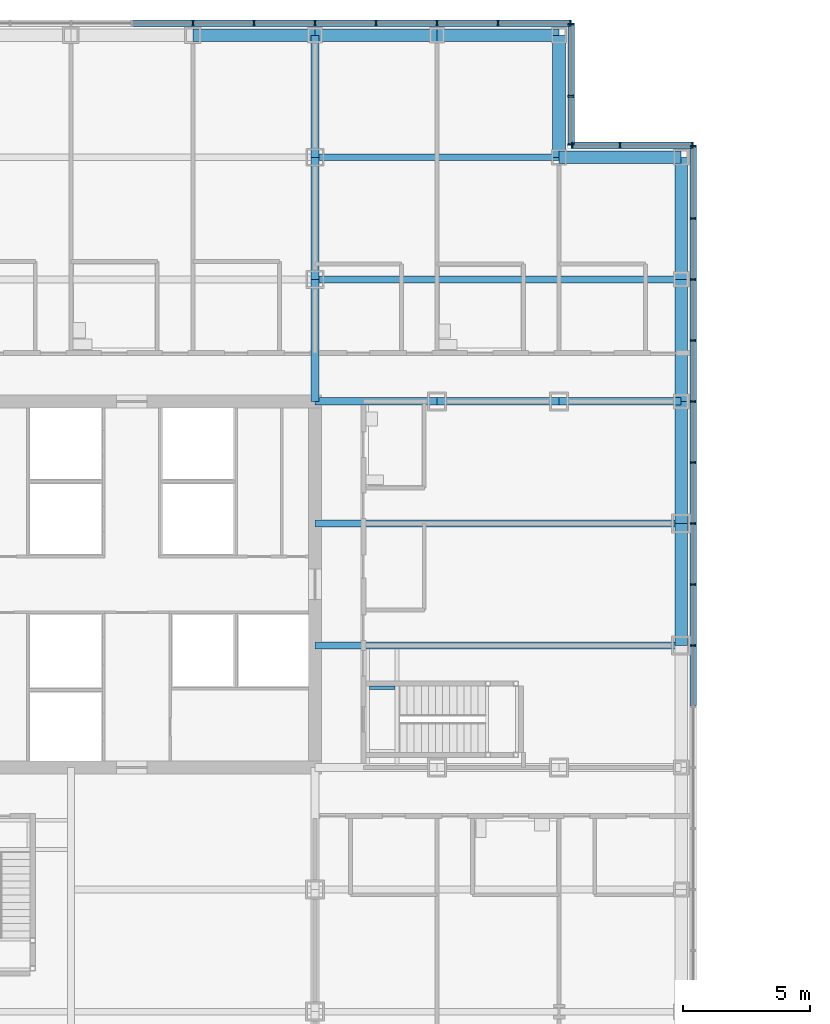
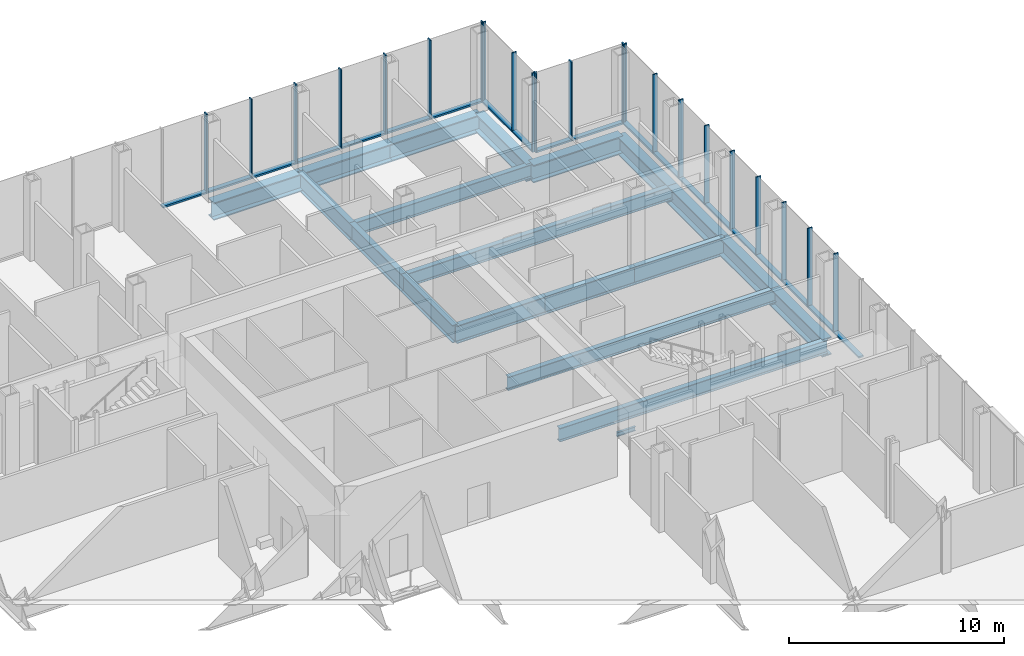
# One storey, part 17 of 26: 42 members, 20 beams, 4 elements without a shape of their own.
"""IFC4 building model written with IfcOpenShell, lengths in metres."""

from ifc_helpers import new_model, si_unit, direction, frame, origin, origin_2d, place, context, subcontext, project, spatial, rectangle, i_section, extrude, material, material_profile, profile_set, type_object, element, aggregate, save


model = new_model("IFC4")

# Units and contexts
model_context = context("Model", 3, precision=1e-05, world=origin(), true_north=direction((0.0, 1.0)))
body_context = subcontext(model_context, "Body", "Model", "MODEL_VIEW")
ifc_project = project(units=[si_unit("LENGTHUNIT", "METRE"), si_unit("AREAUNIT", "SQUARE_METRE"), si_unit("VOLUMEUNIT", "CUBIC_METRE"), si_unit("PLANEANGLEUNIT", "RADIAN"), si_unit("MASSUNIT", "GRAM", prefix="KILO")], contexts=[model_context])

# Site, building, storey
site_placement = place(None, origin())
site = spatial("IfcSite", under=ifc_project, at=site_placement, CompositionType="ELEMENT")
building_placement = place(site_placement, origin())
building = spatial("IfcBuilding", under=site, at=building_placement, Name="Kvirike Care Tower", CompositionType="ELEMENT")
storey_placement = place(building_placement, frame((0.0, 0.0, 18.0)))
storey = spatial("IfcBuildingStorey", under=building, at=storey_placement, Name="L04", CompositionType="ELEMENT", Elevation=18.0)

# Curtain wall, members
ifc_material_1 = material(Name="Anodised aluminium stick system", Category="aluminium")
curtain_wall_type = type_object("IfcCurtainWallType", Name="CW-P PODIUM STICK CURTAIN WALL", PredefinedType="NOTDEFINED", material=ifc_material_1)
curtain_wall_1_placement = place(storey_placement, origin())
curtain_wall_1 = element("IfcCurtainWall", 1, at=curtain_wall_1_placement, inside=storey, type_object=curtain_wall_type, Name="Curtain wall L04 face 8", PredefinedType="NOTDEFINED")
ifc_material_2 = material(Name="Bronze anodised aluminium mullion", Category="aluminium")
ifc_material_profile_1 = material_profile(ifc_material_2, rectangle(XDim=0.06494140625, YDim=0.25, at=origin_2d()), Name="CW-P MULLION 65x250")
ifc_profile_set_1 = profile_set([ifc_material_profile_1], Name="Bronze anodised aluminium mullion")
member_type_1 = type_object("IfcMemberType", Name="CW-P MULLION 65x250", PredefinedType="MULLION", material=ifc_profile_set_1)
member_1_placement = place(storey_placement, frame((43.675048828125, 33.60009765625, 0.0), z_axis=(0.0, 0.0, 1.0), x_axis=(0.0, 1.0, 0.0)))
member_1 = element("IfcMember", 2, at=member_1_placement, type_object=member_type_1, Name="CW-P mullion L04 face 8.9", PredefinedType="MULLION", context=body_context, shape_type="SweptSolid", body=[
    extrude(rectangle(XDim=0.06494140625, YDim=0.25, at=origin_2d()), origin(), (0.0, 0.0, 1.0), 4.5),
])
member_2_placement = place(storey_placement, frame((43.675048828125, 36.0, 0.0), z_axis=(0.0, 0.0, 1.0), x_axis=(0.0, 1.0, 0.0)))
member_2 = element("IfcMember", 3, at=member_2_placement, type_object=member_type_1, Name="CW-P mullion L04 face 8.10", PredefinedType="MULLION", context=body_context, shape_type="SweptSolid", body=[
    extrude(rectangle(XDim=0.06494140625, YDim=0.25, at=origin_2d()), origin(), (0.0, 0.0, 1.0), 4.5),
])
member_3_placement = place(storey_placement, frame((43.675048828125, 38.39990234375, 0.0), z_axis=(0.0, 0.0, 1.0), x_axis=(0.0, 1.0, 0.0)))
member_3 = element("IfcMember", 4, at=member_3_placement, type_object=member_type_1, Name="CW-P mullion L04 face 8.11", PredefinedType="MULLION", context=body_context, shape_type="SweptSolid", body=[
    extrude(rectangle(XDim=0.06494140625, YDim=0.25, at=origin_2d()), origin(), (0.0, 0.0, 1.0), 4.5),
])
member_4_placement = place(storey_placement, frame((43.675048828125, 40.800048828125, 0.0), z_axis=(0.0, 0.0, 1.0), x_axis=(0.0, 1.0, 0.0)))
member_4 = element("IfcMember", 5, at=member_4_placement, type_object=member_type_1, Name="CW-P mullion L04 face 8.12", PredefinedType="MULLION", context=body_context, shape_type="SweptSolid", body=[
    extrude(rectangle(XDim=0.06494140625, YDim=0.25, at=origin_2d()), origin(), (0.0, 0.0, 1.0), 4.5),
])
member_5_placement = place(storey_placement, frame((43.675048828125, 43.199951171875, 0.0), z_axis=(0.0, 0.0, 1.0), x_axis=(0.0, 1.0, 0.0)))
member_5 = element("IfcMember", 6, at=member_5_placement, type_object=member_type_1, Name="CW-P mullion L04 face 8.13", PredefinedType="MULLION", context=body_context, shape_type="SweptSolid", body=[
    extrude(rectangle(XDim=0.06494140625, YDim=0.25, at=origin_2d()), origin(), (0.0, 0.0, 1.0), 4.5),
])
member_6_placement = place(storey_placement, frame((43.675048828125, 45.60009765625, 0.0), z_axis=(0.0, 0.0, 1.0), x_axis=(0.0, 1.0, 0.0)))
member_6 = element("IfcMember", 7, at=member_6_placement, type_object=member_type_1, Name="CW-P mullion L04 face 8.14", PredefinedType="MULLION", context=body_context, shape_type="SweptSolid", body=[
    extrude(rectangle(XDim=0.06494140625, YDim=0.25, at=origin_2d()), origin(), (0.0, 0.0, 1.0), 4.5),
])
member_7_placement = place(storey_placement, frame((43.675048828125, 48.0, 0.0), z_axis=(0.0, 0.0, 1.0), x_axis=(0.0, 1.0, 0.0)))
member_7 = element("IfcMember", 8, at=member_7_placement, type_object=member_type_1, Name="CW-P mullion L04 face 8.15", PredefinedType="MULLION", context=body_context, shape_type="SweptSolid", body=[
    extrude(rectangle(XDim=0.06494140625, YDim=0.25, at=origin_2d()), origin(), (0.0, 0.0, 1.0), 4.5),
])
member_8_placement = place(storey_placement, frame((43.675048828125, 50.39990234375, 0.0), z_axis=(0.0, 0.0, 1.0), x_axis=(0.0, 1.0, 0.0)))
member_8 = element("IfcMember", 9, at=member_8_placement, type_object=member_type_1, Name="CW-P mullion L04 face 8.16", PredefinedType="MULLION", context=body_context, shape_type="SweptSolid", body=[
    extrude(rectangle(XDim=0.06494140625, YDim=0.25, at=origin_2d()), origin(), (0.0, 0.0, 1.0), 4.5),
])
member_9_placement = place(storey_placement, frame((43.675048828125, 53.242431640625, 0.0), z_axis=(0.0, 0.0, 1.0), x_axis=(0.0, 1.0, 0.0)))
member_9 = element("IfcMember", 10, at=member_9_placement, type_object=member_type_1, Name="CW-P mullion L04 face 8.17", PredefinedType="MULLION", context=body_context, shape_type="SweptSolid", body=[
    extrude(rectangle(XDim=0.06494140625, YDim=0.25, at=origin_2d()), origin(), (0.0, 0.0, 1.0), 4.5),
])

curtain_wall_2_placement = place(storey_placement, origin())
curtain_wall_2 = element("IfcCurtainWall", 11, at=curtain_wall_2_placement, inside=storey, type_object=curtain_wall_type, Name="Curtain wall L04 face 9", PredefinedType="NOTDEFINED")
member_10_placement = place(storey_placement, frame((43.642578125, 53.27490234375, 0.0), z_axis=(0.0, 0.0, 1.0), x_axis=(-1.0, 0.0, 0.0)))
member_10 = element("IfcMember", 12, at=member_10_placement, type_object=member_type_1, Name="CW-P mullion L04 face 9.1", PredefinedType="MULLION", context=body_context, shape_type="SweptSolid", body=[
    extrude(rectangle(XDim=0.06494140625, YDim=0.25, at=origin_2d()), origin(), (0.0, 0.0, 1.0), 4.5),
])
member_11_placement = place(storey_placement, frame((40.800048828125, 53.27490234375, 0.0), z_axis=(0.0, 0.0, 1.0), x_axis=(-1.0, 0.0, 0.0)))
member_11 = element("IfcMember", 13, at=member_11_placement, type_object=member_type_1, Name="CW-P mullion L04 face 9.2", PredefinedType="MULLION", context=body_context, shape_type="SweptSolid", body=[
    extrude(rectangle(XDim=0.06494140625, YDim=0.25, at=origin_2d()), origin(), (0.0, 0.0, 1.0), 4.5),
])
member_12_placement = place(storey_placement, frame((38.907470703125, 53.27490234375, 0.0), z_axis=(0.0, 0.0, 1.0), x_axis=(-1.0, 0.0, 0.0)))
member_12 = element("IfcMember", 14, at=member_12_placement, type_object=member_type_1, Name="CW-P mullion L04 face 9.3", PredefinedType="MULLION", context=body_context, shape_type="SweptSolid", body=[
    extrude(rectangle(XDim=0.06494140625, YDim=0.25, at=origin_2d()), origin(), (0.0, 0.0, 1.0), 4.5),
])

curtain_wall_3_placement = place(storey_placement, origin())
curtain_wall_3 = element("IfcCurtainWall", 15, at=curtain_wall_3_placement, inside=storey, type_object=curtain_wall_type, Name="Curtain wall L04 face 10", PredefinedType="NOTDEFINED")
member_13_placement = place(storey_placement, frame((38.875, 53.3076171875, 0.0), z_axis=(0.0, 0.0, 1.0), x_axis=(0.0, 1.0, 0.0)))
member_13 = element("IfcMember", 16, at=member_13_placement, type_object=member_type_1, Name="CW-P mullion L04 face 10.1", PredefinedType="MULLION", context=body_context, shape_type="SweptSolid", body=[
    extrude(rectangle(XDim=0.06494140625, YDim=0.25, at=origin_2d()), origin(), (0.0, 0.0, 1.0), 4.5),
])
member_14_placement = place(storey_placement, frame((38.875, 55.199951171875, 0.0), z_axis=(0.0, 0.0, 1.0), x_axis=(0.0, 1.0, 0.0)))
member_14 = element("IfcMember", 17, at=member_14_placement, type_object=member_type_1, Name="CW-P mullion L04 face 10.2", PredefinedType="MULLION", context=body_context, shape_type="SweptSolid", body=[
    extrude(rectangle(XDim=0.06494140625, YDim=0.25, at=origin_2d()), origin(), (0.0, 0.0, 1.0), 4.5),
])
member_15_placement = place(storey_placement, frame((38.875, 58.04248046875, 0.0), z_axis=(0.0, 0.0, 1.0), x_axis=(0.0, 1.0, 0.0)))
member_15 = element("IfcMember", 18, at=member_15_placement, type_object=member_type_1, Name="CW-P mullion L04 face 10.3", PredefinedType="MULLION", context=body_context, shape_type="SweptSolid", body=[
    extrude(rectangle(XDim=0.06494140625, YDim=0.25, at=origin_2d()), origin(), (0.0, 0.0, 1.0), 4.5),
])

curtain_wall_4_placement = place(storey_placement, origin())
curtain_wall_4 = element("IfcCurtainWall", 19, at=curtain_wall_4_placement, inside=storey, type_object=curtain_wall_type, Name="Curtain wall L04 face 11", PredefinedType="NOTDEFINED")
member_16_placement = place(storey_placement, frame((38.842529296875, 58.074951171875, 0.0), z_axis=(0.0, 0.0, 1.0), x_axis=(-1.0, 0.0, 0.0)))
member_16 = element("IfcMember", 20, at=member_16_placement, type_object=member_type_1, Name="CW-P mullion L04 face 11.1", PredefinedType="MULLION", context=body_context, shape_type="SweptSolid", body=[
    extrude(rectangle(XDim=0.06494140625, YDim=0.25, at=origin_2d()), origin(), (0.0, 0.0, 1.0), 4.5),
])
member_17_placement = place(storey_placement, frame((36.0, 58.074951171875, 0.0), z_axis=(0.0, 0.0, 1.0), x_axis=(-1.0, 0.0, 0.0)))
member_17 = element("IfcMember", 21, at=member_17_placement, type_object=member_type_1, Name="CW-P mullion L04 face 11.2", PredefinedType="MULLION", context=body_context, shape_type="SweptSolid", body=[
    extrude(rectangle(XDim=0.06494140625, YDim=0.25, at=origin_2d()), origin(), (0.0, 0.0, 1.0), 4.5),
])
member_18_placement = place(storey_placement, frame((33.60009765625, 58.074951171875, 0.0), z_axis=(0.0, 0.0, 1.0), x_axis=(-1.0, 0.0, 0.0)))
member_18 = element("IfcMember", 22, at=member_18_placement, type_object=member_type_1, Name="CW-P mullion L04 face 11.3", PredefinedType="MULLION", context=body_context, shape_type="SweptSolid", body=[
    extrude(rectangle(XDim=0.06494140625, YDim=0.25, at=origin_2d()), origin(), (0.0, 0.0, 1.0), 4.5),
])
member_19_placement = place(storey_placement, frame((31.199951171875, 58.074951171875, 0.0), z_axis=(0.0, 0.0, 1.0), x_axis=(-1.0, 0.0, 0.0)))
member_19 = element("IfcMember", 23, at=member_19_placement, type_object=member_type_1, Name="CW-P mullion L04 face 11.4", PredefinedType="MULLION", context=body_context, shape_type="SweptSolid", body=[
    extrude(rectangle(XDim=0.06494140625, YDim=0.25, at=origin_2d()), origin(), (0.0, 0.0, 1.0), 4.5),
])
member_20_placement = place(storey_placement, frame((28.800048828125, 58.074951171875, 0.0), z_axis=(0.0, 0.0, 1.0), x_axis=(-1.0, 0.0, 0.0)))
member_20 = element("IfcMember", 24, at=member_20_placement, type_object=member_type_1, Name="CW-P mullion L04 face 11.5", PredefinedType="MULLION", context=body_context, shape_type="SweptSolid", body=[
    extrude(rectangle(XDim=0.06494140625, YDim=0.25, at=origin_2d()), origin(), (0.0, 0.0, 1.0), 4.5),
])
member_21_placement = place(storey_placement, frame((26.39990234375, 58.074951171875, 0.0), z_axis=(0.0, 0.0, 1.0), x_axis=(-1.0, 0.0, 0.0)))
member_21 = element("IfcMember", 25, at=member_21_placement, type_object=member_type_1, Name="CW-P mullion L04 face 11.6", PredefinedType="MULLION", context=body_context, shape_type="SweptSolid", body=[
    extrude(rectangle(XDim=0.06494140625, YDim=0.25, at=origin_2d()), origin(), (0.0, 0.0, 1.0), 4.5),
])
member_22_placement = place(storey_placement, frame((24.0, 58.074951171875, 0.0), z_axis=(0.0, 0.0, 1.0), x_axis=(-1.0, 0.0, 0.0)))
member_22 = element("IfcMember", 26, at=member_22_placement, type_object=member_type_1, Name="CW-P mullion L04 face 11.7", PredefinedType="MULLION", context=body_context, shape_type="SweptSolid", body=[
    extrude(rectangle(XDim=0.06494140625, YDim=0.25, at=origin_2d()), origin(), (0.0, 0.0, 1.0), 4.5),
])

# Member
ifc_material_3 = material(Name="Bronze anodised aluminium transom", Category="aluminium")
ifc_material_profile_2 = material_profile(ifc_material_3, rectangle(XDim=0.25, YDim=0.10009765625, at=origin_2d()), Name="CW-P TRANSOM 250x100")
ifc_profile_set_2 = profile_set([ifc_material_profile_2], Name="Bronze anodised aluminium transom")
member_type_2 = type_object("IfcMemberType", Name="CW-P TRANSOM 250x100", PredefinedType="USERDEFINED", material=ifc_profile_set_2)
member_23_placement = place(storey_placement, frame((43.675048828125, 31.232421875, 0.050048828125), z_axis=(0.0, 1.0, 0.0), x_axis=(-1.0, 0.0, 0.0)))
member_23 = element("IfcMember", 27, at=member_23_placement, type_object=member_type_2, Name="CW-P sill transom L04 face 8.8", ObjectType="TRANSOM", PredefinedType="USERDEFINED", context=body_context, shape_type="SweptSolid", body=[
    extrude(rectangle(XDim=0.25, YDim=0.10009765625, at=origin_2d()), origin(), (0.0, 0.0, 1.0), 2.3349609375),
])

member_24_placement = place(storey_placement, frame((43.675048828125, 33.632568359375, 0.050048828125), z_axis=(0.0, 1.0, 0.0), x_axis=(-1.0, 0.0, 0.0)))
member_24 = element("IfcMember", 28, at=member_24_placement, type_object=member_type_2, Name="CW-P sill transom L04 face 8.9", ObjectType="TRANSOM", PredefinedType="USERDEFINED", context=body_context, shape_type="SweptSolid", body=[
    extrude(rectangle(XDim=0.25, YDim=0.10009765625, at=origin_2d()), origin(), (0.0, 0.0, 1.0), 2.3349609375),
])

member_25_placement = place(storey_placement, frame((43.675048828125, 36.032470703125, 0.050048828125), z_axis=(0.0, 1.0, 0.0), x_axis=(-1.0, 0.0, 0.0)))
member_25 = element("IfcMember", 29, at=member_25_placement, type_object=member_type_2, Name="CW-P sill transom L04 face 8.10", ObjectType="TRANSOM", PredefinedType="USERDEFINED", context=body_context, shape_type="SweptSolid", body=[
    extrude(rectangle(XDim=0.25, YDim=0.10009765625, at=origin_2d()), origin(), (0.0, 0.0, 1.0), 2.3349609375),
])

member_26_placement = place(storey_placement, frame((43.675048828125, 38.4326171875, 0.050048828125), z_axis=(0.0, 1.0, 0.0), x_axis=(-1.0, 0.0, 0.0)))
member_26 = element("IfcMember", 30, at=member_26_placement, type_object=member_type_2, Name="CW-P sill transom L04 face 8.11", ObjectType="TRANSOM", PredefinedType="USERDEFINED", context=body_context, shape_type="SweptSolid", body=[
    extrude(rectangle(XDim=0.25, YDim=0.10009765625, at=origin_2d()), origin(), (0.0, 0.0, 1.0), 2.3349609375),
])

member_27_placement = place(storey_placement, frame((43.675048828125, 40.83251953125, 0.050048828125), z_axis=(0.0, 1.0, 0.0), x_axis=(-1.0, 0.0, 0.0)))
member_27 = element("IfcMember", 31, at=member_27_placement, type_object=member_type_2, Name="CW-P sill transom L04 face 8.12", ObjectType="TRANSOM", PredefinedType="USERDEFINED", context=body_context, shape_type="SweptSolid", body=[
    extrude(rectangle(XDim=0.25, YDim=0.10009765625, at=origin_2d()), origin(), (0.0, 0.0, 1.0), 2.3349609375),
])

member_28_placement = place(storey_placement, frame((43.675048828125, 43.232421875, 0.050048828125), z_axis=(0.0, 1.0, 0.0), x_axis=(-1.0, 0.0, 0.0)))
member_28 = element("IfcMember", 32, at=member_28_placement, type_object=member_type_2, Name="CW-P sill transom L04 face 8.13", ObjectType="TRANSOM", PredefinedType="USERDEFINED", context=body_context, shape_type="SweptSolid", body=[
    extrude(rectangle(XDim=0.25, YDim=0.10009765625, at=origin_2d()), origin(), (0.0, 0.0, 1.0), 2.3349609375),
])

member_29_placement = place(storey_placement, frame((43.675048828125, 45.632568359375, 0.050048828125), z_axis=(0.0, 1.0, 0.0), x_axis=(-1.0, 0.0, 0.0)))
member_29 = element("IfcMember", 33, at=member_29_placement, type_object=member_type_2, Name="CW-P sill transom L04 face 8.14", ObjectType="TRANSOM", PredefinedType="USERDEFINED", context=body_context, shape_type="SweptSolid", body=[
    extrude(rectangle(XDim=0.25, YDim=0.10009765625, at=origin_2d()), origin(), (0.0, 0.0, 1.0), 2.3349609375),
])

member_30_placement = place(storey_placement, frame((43.675048828125, 48.032470703125, 0.050048828125), z_axis=(0.0, 1.0, 0.0), x_axis=(-1.0, 0.0, 0.0)))
member_30 = element("IfcMember", 34, at=member_30_placement, type_object=member_type_2, Name="CW-P sill transom L04 face 8.15", ObjectType="TRANSOM", PredefinedType="USERDEFINED", context=body_context, shape_type="SweptSolid", body=[
    extrude(rectangle(XDim=0.25, YDim=0.10009765625, at=origin_2d()), origin(), (0.0, 0.0, 1.0), 2.3349609375),
])

member_31_placement = place(storey_placement, frame((43.675048828125, 50.4326171875, 0.050048828125), z_axis=(0.0, 1.0, 0.0), x_axis=(-1.0, 0.0, 0.0)))
member_31 = element("IfcMember", 35, at=member_31_placement, type_object=member_type_2, Name="CW-P sill transom L04 face 8.16", ObjectType="TRANSOM", PredefinedType="USERDEFINED", context=body_context, shape_type="SweptSolid", body=[
    extrude(rectangle(XDim=0.25, YDim=0.10009765625, at=origin_2d()), origin(), (0.0, 0.0, 1.0), 2.77734375),
])

aggregate(curtain_wall_1, [member_1, member_2, member_3, member_4, member_5, member_6, member_7, member_8, member_9, member_23, member_24, member_25, member_26, member_27, member_28, member_29, member_30, member_31])

member_32_placement = place(storey_placement, frame((43.610107421875, 53.27490234375, 0.050048828125), z_axis=(-1.0, 0.0, 0.0), x_axis=(0.0, -1.0, 0.0)))
member_32 = element("IfcMember", 36, at=member_32_placement, type_object=member_type_2, Name="CW-P sill transom L04 face 9.1", ObjectType="TRANSOM", PredefinedType="USERDEFINED", context=body_context, shape_type="SweptSolid", body=[
    extrude(rectangle(XDim=0.25, YDim=0.10009765625, at=origin_2d()), origin(), (0.0, 0.0, 1.0), 2.777587890625),
])

member_33_placement = place(storey_placement, frame((40.767578125, 53.27490234375, 0.050048828125), z_axis=(-1.0, 0.0, 0.0), x_axis=(0.0, -1.0, 0.0)))
member_33 = element("IfcMember", 37, at=member_33_placement, type_object=member_type_2, Name="CW-P sill transom L04 face 9.2", ObjectType="TRANSOM", PredefinedType="USERDEFINED", context=body_context, shape_type="SweptSolid", body=[
    extrude(rectangle(XDim=0.25, YDim=0.10009765625, at=origin_2d()), origin(), (0.0, 0.0, 1.0), 1.82763671875),
])

aggregate(curtain_wall_2, [member_10, member_11, member_12, member_32, member_33])

member_34_placement = place(storey_placement, frame((38.875, 53.340087890625, 0.050048828125), z_axis=(0.0, 1.0, 0.0), x_axis=(-1.0, 0.0, 0.0)))
member_34 = element("IfcMember", 38, at=member_34_placement, type_object=member_type_2, Name="CW-P sill transom L04 face 10.1", ObjectType="TRANSOM", PredefinedType="USERDEFINED", context=body_context, shape_type="SweptSolid", body=[
    extrude(rectangle(XDim=0.25, YDim=0.10009765625, at=origin_2d()), origin(), (0.0, 0.0, 1.0), 1.827392578125),
])

member_35_placement = place(storey_placement, frame((38.875, 55.232421875, 0.050048828125), z_axis=(0.0, 1.0, 0.0), x_axis=(-1.0, 0.0, 0.0)))
member_35 = element("IfcMember", 39, at=member_35_placement, type_object=member_type_2, Name="CW-P sill transom L04 face 10.2", ObjectType="TRANSOM", PredefinedType="USERDEFINED", context=body_context, shape_type="SweptSolid", body=[
    extrude(rectangle(XDim=0.25, YDim=0.10009765625, at=origin_2d()), origin(), (0.0, 0.0, 1.0), 2.777587890625),
])

aggregate(curtain_wall_3, [member_13, member_14, member_15, member_34, member_35])

member_36_placement = place(storey_placement, frame((38.81005859375, 58.074951171875, 0.050048828125), z_axis=(-1.0, 0.0, 0.0), x_axis=(0.0, -1.0, 0.0)))
member_36 = element("IfcMember", 40, at=member_36_placement, type_object=member_type_2, Name="CW-P sill transom L04 face 11.1", ObjectType="TRANSOM", PredefinedType="USERDEFINED", context=body_context, shape_type="SweptSolid", body=[
    extrude(rectangle(XDim=0.25, YDim=0.10009765625, at=origin_2d()), origin(), (0.0, 0.0, 1.0), 2.777587890625),
])

member_37_placement = place(storey_placement, frame((35.967529296875, 58.074951171875, 0.050048828125), z_axis=(-1.0, 0.0, 0.0), x_axis=(0.0, -1.0, 0.0)))
member_37 = element("IfcMember", 41, at=member_37_placement, type_object=member_type_2, Name="CW-P sill transom L04 face 11.2", ObjectType="TRANSOM", PredefinedType="USERDEFINED", context=body_context, shape_type="SweptSolid", body=[
    extrude(rectangle(XDim=0.25, YDim=0.10009765625, at=origin_2d()), origin(), (0.0, 0.0, 1.0), 2.3349609375),
])

member_38_placement = place(storey_placement, frame((33.5673828125, 58.074951171875, 0.050048828125), z_axis=(-1.0, 0.0, 0.0), x_axis=(0.0, -1.0, 0.0)))
member_38 = element("IfcMember", 42, at=member_38_placement, type_object=member_type_2, Name="CW-P sill transom L04 face 11.3", ObjectType="TRANSOM", PredefinedType="USERDEFINED", context=body_context, shape_type="SweptSolid", body=[
    extrude(rectangle(XDim=0.25, YDim=0.10009765625, at=origin_2d()), origin(), (0.0, 0.0, 1.0), 2.3349609375),
])

member_39_placement = place(storey_placement, frame((31.16748046875, 58.074951171875, 0.050048828125), z_axis=(-1.0, 0.0, 0.0), x_axis=(0.0, -1.0, 0.0)))
member_39 = element("IfcMember", 43, at=member_39_placement, type_object=member_type_2, Name="CW-P sill transom L04 face 11.4", ObjectType="TRANSOM", PredefinedType="USERDEFINED", context=body_context, shape_type="SweptSolid", body=[
    extrude(rectangle(XDim=0.25, YDim=0.10009765625, at=origin_2d()), origin(), (0.0, 0.0, 1.0), 2.3349609375),
])

member_40_placement = place(storey_placement, frame((28.767578125, 58.074951171875, 0.050048828125), z_axis=(-1.0, 0.0, 0.0), x_axis=(0.0, -1.0, 0.0)))
member_40 = element("IfcMember", 44, at=member_40_placement, type_object=member_type_2, Name="CW-P sill transom L04 face 11.5", ObjectType="TRANSOM", PredefinedType="USERDEFINED", context=body_context, shape_type="SweptSolid", body=[
    extrude(rectangle(XDim=0.25, YDim=0.10009765625, at=origin_2d()), origin(), (0.0, 0.0, 1.0), 2.3349609375),
])

member_41_placement = place(storey_placement, frame((26.367431640625, 58.074951171875, 0.050048828125), z_axis=(-1.0, 0.0, 0.0), x_axis=(0.0, -1.0, 0.0)))
member_41 = element("IfcMember", 45, at=member_41_placement, type_object=member_type_2, Name="CW-P sill transom L04 face 11.6", ObjectType="TRANSOM", PredefinedType="USERDEFINED", context=body_context, shape_type="SweptSolid", body=[
    extrude(rectangle(XDim=0.25, YDim=0.10009765625, at=origin_2d()), origin(), (0.0, 0.0, 1.0), 2.3349609375),
])

member_42_placement = place(storey_placement, frame((23.967529296875, 58.074951171875, 0.050048828125), z_axis=(-1.0, 0.0, 0.0), x_axis=(0.0, -1.0, 0.0)))
member_42 = element("IfcMember", 46, at=member_42_placement, type_object=member_type_2, Name="CW-P sill transom L04 face 11.7", ObjectType="TRANSOM", PredefinedType="USERDEFINED", context=body_context, shape_type="SweptSolid", body=[
    extrude(rectangle(XDim=0.25, YDim=0.10009765625, at=origin_2d()), origin(), (0.0, 0.0, 1.0), 2.3349609375),
])

aggregate(curtain_wall_4, [member_16, member_17, member_18, member_19, member_20, member_21, member_22, member_36, member_37, member_38, member_39, member_40, member_41, member_42])

# Beams
ifc_material_4 = material(Name="Steel S355", Category="steel")
ifc_material_profile_3 = material_profile(ifc_material_4, i_section(OverallWidth=0.26806640625, OverallDepth=0.77001953125, WebThickness=0.015625, FlangeThickness=0.025390625, FilletRadius=0.01708984375, at=origin_2d()), Name="IPE 750x196")
ifc_profile_set_3 = profile_set([ifc_material_profile_3], Name="Steel S355")
beam_type_1 = type_object("IfcBeamType", Name="FLOOR BEAM IPE 750x196", PredefinedType="BEAM", material=ifc_profile_set_3)
for number, where, z_axis, x_axis, name in (
    (47, (28.800048828125, 33.60009765625, -0.554931640625), (1.0, 0.0, 0.0), (0.0, 1.0, 0.0), "Floor Beam H9-H12 L04"),
    (48, (28.800048828125, 38.39990234375, -0.554931640625), (1.0, 0.0, 0.0), (0.0, 1.0, 0.0), "Floor Beam J9-J12 L04"),
    (49, (28.800048828125, 48.0, -0.554931640625), (1.0, 0.0, 0.0), (0.0, 1.0, 0.0), "Floor Beam L9-L12 L04"),
):
    element("IfcBeam", number, at=place(storey_placement, frame(where, z_axis=z_axis, x_axis=x_axis)), inside=storey, type_object=beam_type_1, Name=name, PredefinedType="BEAM", context=body_context, shape_type="SweptSolid", body=[
        extrude(i_section(OverallWidth=0.26806640625, OverallDepth=0.77001953125, WebThickness=0.015625, FlangeThickness=0.025390625, FilletRadius=0.01708984375, at=origin_2d()), origin(), (0.0, 0.0, 1.0), 14.39990234375),
    ])
beam_1_placement = place(storey_placement, frame((28.800048828125, 52.800048828125, -0.554931640625), z_axis=(1.0, 0.0, 0.0), x_axis=(0.0, 1.0, 0.0)))
element("IfcBeam", 50, at=beam_1_placement, inside=storey, type_object=beam_type_1, Name="Floor Beam M9-M11 L04", PredefinedType="BEAM", context=body_context, shape_type="SweptSolid", body=[
    extrude(i_section(OverallWidth=0.26806640625, OverallDepth=0.77001953125, WebThickness=0.015625, FlangeThickness=0.025390625, FilletRadius=0.01708984375, at=origin_2d()), origin(), (0.0, 0.0, 1.0), 9.599853515625),
])
ifc_material_5 = material(Name="Steel S355", Category="steel")
ifc_material_profile_4 = material_profile(ifc_material_5, i_section(OverallWidth=0.300048828125, OverallDepth=1.0, WebThickness=0.01904296875, FlangeThickness=0.035888671875, FilletRadius=0.030029296875, at=origin_2d()), Name="HE 1000 B")
ifc_profile_set_4 = profile_set([ifc_material_profile_4], Name="Steel S355")
beam_type_2 = type_object("IfcBeamType", Name="FRAME BEAM HE 1000 B", PredefinedType="BEAM", material=ifc_profile_set_4)
beam_2_placement = place(storey_placement, frame((28.800048828125, 43.199951171875, -0.669921875), z_axis=(1.0, 0.0, 0.0), x_axis=(0.0, 1.0, 0.0)))
element("IfcBeam", 51, at=beam_2_placement, inside=storey, type_object=beam_type_2, Name="Frame Beam K9-K10 L04", PredefinedType="BEAM", context=body_context, shape_type="SweptSolid", body=[
    extrude(i_section(OverallWidth=0.300048828125, OverallDepth=1.0, WebThickness=0.01904296875, FlangeThickness=0.035888671875, FilletRadius=0.030029296875, at=origin_2d()), origin(), (0.0, 0.0, 1.0), 4.800048828125),
])
beam_3_placement = place(storey_placement, frame((33.60009765625, 43.199951171875, -0.669921875), z_axis=(1.0, 0.0, 0.0), x_axis=(0.0, 1.0, 0.0)))
element("IfcBeam", 52, at=beam_3_placement, inside=storey, type_object=beam_type_2, Name="Frame Beam K10-K11 L04", PredefinedType="BEAM", context=body_context, shape_type="SweptSolid", body=[
    extrude(i_section(OverallWidth=0.300048828125, OverallDepth=1.0, WebThickness=0.01904296875, FlangeThickness=0.035888671875, FilletRadius=0.030029296875, at=origin_2d()), origin(), (0.0, 0.0, 1.0), 4.7998046875),
])
for number, where, z_axis, x_axis, name in (
    (53, (38.39990234375, 43.199951171875, -0.669921875), (1.0, 0.0, 0.0), (0.0, 1.0, 0.0), "Frame Beam K11-K12 L04"),
    (54, (28.800048828125, 43.199951171875, -0.669921875), (0.0, 1.0, 0.0), (-1.0, 0.0, 0.0), "Frame Beam K9-L9 L04"),
    (55, (28.800048828125, 48.0, -0.669921875), (0.0, 1.0, 0.0), (-1.0, 0.0, 0.0), "Frame Beam L9-M9 L04"),
    (56, (28.800048828125, 52.800048828125, -0.669921875), (0.0, 1.0, 0.0), (-1.0, 0.0, 0.0), "Frame Beam M9-N9 L04"),
):
    element("IfcBeam", number, at=place(storey_placement, frame(where, z_axis=z_axis, x_axis=x_axis)), inside=storey, type_object=beam_type_2, Name=name, PredefinedType="BEAM", context=body_context, shape_type="SweptSolid", body=[
        extrude(i_section(OverallWidth=0.300048828125, OverallDepth=1.0, WebThickness=0.01904296875, FlangeThickness=0.035888671875, FilletRadius=0.030029296875, at=origin_2d()), origin(), (0.0, 0.0, 1.0), 4.800048828125),
    ])
ifc_material_6 = material(Name="Steel S355", Category="steel")
ifc_material_profile_5 = material_profile(ifc_material_6, i_section(OverallWidth=0.5, OverallDepth=1.0, WebThickness=0.030029296875, FlangeThickness=0.06005859375, at=origin_2d()), Name="PG 1000x500x30x60")
ifc_profile_set_5 = profile_set([ifc_material_profile_5], Name="Steel S355")
beam_type_3 = type_object("IfcBeamType", Name="SPANDREL PG 1000x500x30x60", PredefinedType="SPANDREL", material=ifc_profile_set_5)
for number, where, z_axis, x_axis, name in (
    (57, (38.39990234375, 52.800048828125, -0.669921875), (1.0, 0.0, 0.0), (0.0, 1.0, 0.0), "Spandrel M11-M12 L04"),
    (58, (24.0, 57.60009765625, -0.669921875), (1.0, 0.0, 0.0), (0.0, 1.0, 0.0), "Spandrel N8-N9 L04"),
    (59, (28.800048828125, 57.60009765625, -0.669921875), (1.0, 0.0, 0.0), (0.0, 1.0, 0.0), "Spandrel N9-N10 L04"),
):
    element("IfcBeam", number, at=place(storey_placement, frame(where, z_axis=z_axis, x_axis=x_axis)), inside=storey, type_object=beam_type_3, Name=name, PredefinedType="SPANDREL", context=body_context, shape_type="SweptSolid", body=[
        extrude(i_section(OverallWidth=0.5, OverallDepth=1.0, WebThickness=0.030029296875, FlangeThickness=0.06005859375, at=origin_2d()), origin(), (0.0, 0.0, 1.0), 4.800048828125),
    ])
beam_4_placement = place(storey_placement, frame((33.60009765625, 57.60009765625, -0.669921875), z_axis=(1.0, 0.0, 0.0), x_axis=(0.0, 1.0, 0.0)))
element("IfcBeam", 60, at=beam_4_placement, inside=storey, type_object=beam_type_3, Name="Spandrel N10-N11 L04", PredefinedType="SPANDREL", context=body_context, shape_type="SweptSolid", body=[
    extrude(i_section(OverallWidth=0.5, OverallDepth=1.0, WebThickness=0.030029296875, FlangeThickness=0.06005859375, at=origin_2d()), origin(), (0.0, 0.0, 1.0), 4.7998046875),
])
beam_5_placement = place(storey_placement, frame((38.39990234375, 52.800048828125, -0.669921875), z_axis=(0.0, 1.0, 0.0), x_axis=(-1.0, 0.0, 0.0)))
element("IfcBeam", 61, at=beam_5_placement, inside=storey, type_object=beam_type_3, Name="Spandrel M11-N11 L04", PredefinedType="SPANDREL", context=body_context, shape_type="SweptSolid", body=[
    extrude(i_section(OverallWidth=0.5, OverallDepth=1.0, WebThickness=0.030029296875, FlangeThickness=0.06005859375, at=origin_2d()), origin(), (0.0, 0.0, 1.0), 4.800048828125),
])
beam_6_placement = place(storey_placement, frame((43.199951171875, 33.60009765625, -0.669921875), z_axis=(0.0, 1.0, 0.0), x_axis=(-1.0, 0.0, 0.0)))
element("IfcBeam", 62, at=beam_6_placement, inside=storey, type_object=beam_type_3, Name="Spandrel H12-J12 L04", PredefinedType="SPANDREL", context=body_context, shape_type="SweptSolid", body=[
    extrude(i_section(OverallWidth=0.5, OverallDepth=1.0, WebThickness=0.030029296875, FlangeThickness=0.06005859375, at=origin_2d()), origin(), (0.0, 0.0, 1.0), 4.7998046875),
])
for number, where, z_axis, x_axis, name in (
    (63, (43.199951171875, 38.39990234375, -0.669921875), (0.0, 1.0, 0.0), (-1.0, 0.0, 0.0), "Spandrel J12-K12 L04"),
    (64, (43.199951171875, 43.199951171875, -0.669921875), (0.0, 1.0, 0.0), (-1.0, 0.0, 0.0), "Spandrel K12-L12 L04"),
    (65, (43.199951171875, 48.0, -0.669921875), (0.0, 1.0, 0.0), (-1.0, 0.0, 0.0), "Spandrel L12-M12 L04"),
):
    element("IfcBeam", number, at=place(storey_placement, frame(where, z_axis=z_axis, x_axis=x_axis)), inside=storey, type_object=beam_type_3, Name=name, PredefinedType="SPANDREL", context=body_context, shape_type="SweptSolid", body=[
        extrude(i_section(OverallWidth=0.5, OverallDepth=1.0, WebThickness=0.030029296875, FlangeThickness=0.06005859375, at=origin_2d()), origin(), (0.0, 0.0, 1.0), 4.800048828125),
    ])
ifc_material_7 = material(Name="Steel S355", Category="steel")
ifc_material_profile_6 = material_profile(ifc_material_7, i_section(OverallWidth=0.1201171875, OverallDepth=0.239990234375, WebThickness=0.006103515625, FlangeThickness=0.009765625, FilletRadius=0.014892578125, at=origin_2d()), Name="IPE 240")
ifc_profile_set_6 = profile_set([ifc_material_profile_6], Name="Steel S355")
beam_type_4 = type_object("IfcBeamType", Name="STAIR LANDING BEAM IPE 240", PredefinedType="BEAM", material=ifc_profile_set_6)
beam_7_placement = place(storey_placement, frame((31.949951171875, 31.93994140625, -0.320068359375), z_axis=(-1.0, 0.0, 0.0), x_axis=(0.0, -1.0, 0.0)))
element("IfcBeam", 66, at=beam_7_placement, inside=storey, type_object=beam_type_4, Name="Stair 2 landing edge beam 2 L04", PredefinedType="BEAM", context=body_context, shape_type="SweptSolid", body=[
    extrude(i_section(OverallWidth=0.1201171875, OverallDepth=0.239990234375, WebThickness=0.006103515625, FlangeThickness=0.009765625, FilletRadius=0.014892578125, at=origin_2d()), origin(), (0.0, 0.0, 1.0), 1.0),
])

save(model, "model.ifc")
